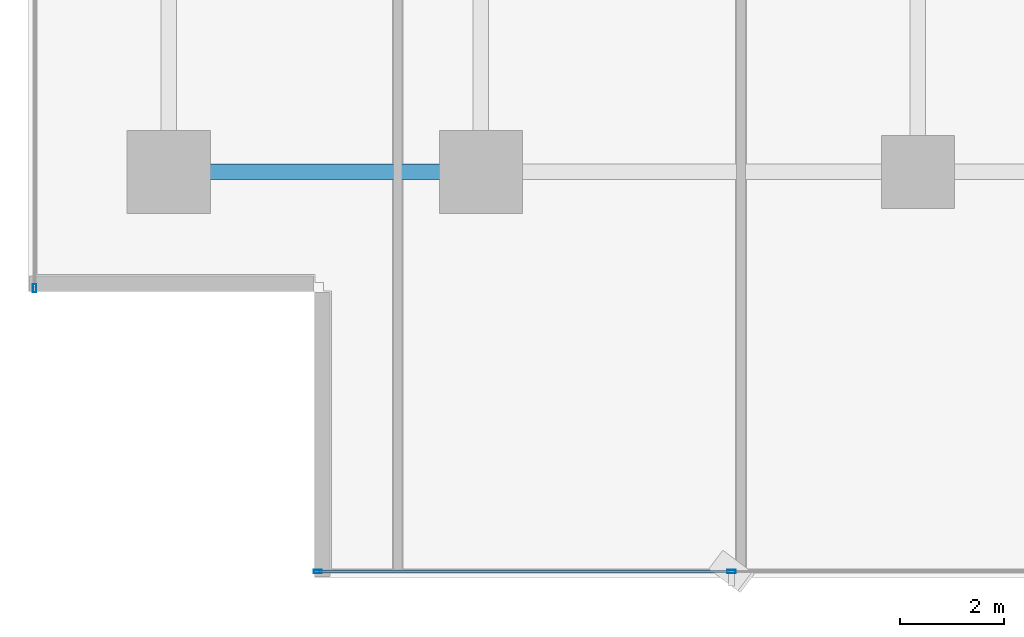
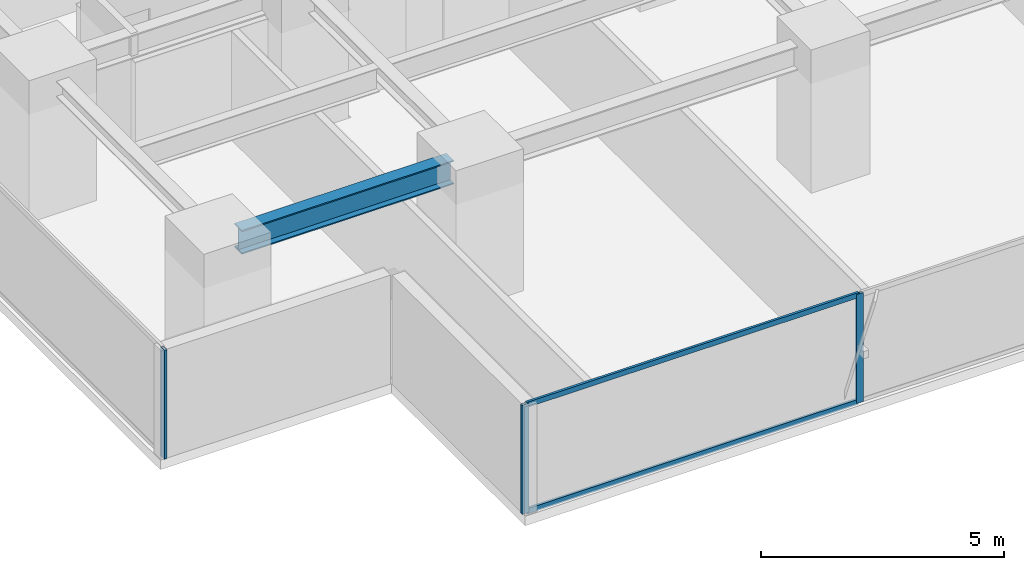
# One storey, part 2 of 34: 5 members, 1 beam, 2 elements without a shape of their own.
"""IFC4 building model written with IfcOpenShell, lengths in metres."""

from ifc_helpers import new_model, si_unit, direction, frame, origin, origin_2d, place, context, subcontext, project, spatial, hollow_rectangle, i_section, extrude, source, transform, mapped, material, layer, layer_set, material_profile, profile_set, type_object, element, aggregate, save


model = new_model("IFC4")

# Units and contexts
model_context = context("Model", 3, precision=1e-05, world=origin(), true_north=direction((0.0, 1.0)))
body_context = subcontext(model_context, "Body", "Model", "MODEL_VIEW")
ifc_project = project(units=[si_unit("LENGTHUNIT", "METRE"), si_unit("AREAUNIT", "SQUARE_METRE"), si_unit("VOLUMEUNIT", "CUBIC_METRE"), si_unit("PLANEANGLEUNIT", "RADIAN"), si_unit("MASSUNIT", "GRAM", prefix="KILO")], contexts=[model_context])

# Site, building, storey
site_placement = place(None, origin())
site = spatial("IfcSite", under=ifc_project, at=site_placement, CompositionType="ELEMENT")
building_placement = place(site_placement, origin())
building = spatial("IfcBuilding", under=site, at=building_placement, Name="Sumidabori Civic Tower", CompositionType="ELEMENT")
storey_placement = place(building_placement, frame((0.0, 0.0, 106.39990234375)))
storey = spatial("IfcBuildingStorey", under=building, at=storey_placement, Name="L27", CompositionType="ELEMENT", Elevation=106.39990234375)

# Beam
ifc_material_1 = material(Name="Steel SN490", Category="steel")
ifc_material_profile_1 = material_profile(ifc_material_1, i_section(OverallWidth=0.300048828125, OverallDepth=0.60009765625, WebThickness=0.015380859375, FlangeThickness=0.030029296875, at=origin_2d()), Name="HE 600 B")
ifc_profile_set_1 = profile_set([ifc_material_profile_1], Name="Steel SN490")
beam_type = type_object("IfcBeamType", Name="BM-GIRD-600", PredefinedType="BEAM", material=ifc_profile_set_1)
shared_shape_1 = source(origin(), body_context, "Body", "SweptSolid", [
    extrude(i_section(OverallWidth=0.300048828125, OverallDepth=0.60009765625, WebThickness=0.015380859375, FlangeThickness=0.030029296875, at=origin_2d()), origin(), (0.0, 0.0, 1.0), 5.0400390625),
])
beam_placement = place(storey_placement, frame((-22.320068359375, -18.0, 3.06005859375), z_axis=(1.0, 0.0, 0.0), x_axis=(0.0, 1.0, 0.0)))
element("IfcBeam", 1, at=beam_placement, inside=storey, type_object=beam_type, Name="Primary Girder L27 GX-01", PredefinedType="BEAM", context=body_context, shape_type="MappedRepresentation", body=[
    mapped(shared_shape_1, transform((0.0, 0.0, 0.0), x_axis=(1.0, 0.0, 0.0), y_axis=(0.0, 1.0, 0.0), z_axis=(0.0, 0.0, 1.0), scale=1.0)),
])

# Curtain wall, members
ifc_material_2 = material(Name="Anodised Bronze Aluminium AW-6063-T6", Category="aluminium")
ifc_layer = layer(ifc_material_2, 0.179931640625, Name="Anodised Bronze Aluminium AW-6063-T6")
ifc_layer_set = layer_set([ifc_layer], Name="Anodised Bronze Aluminium AW-6063-T6")
curtain_wall_type = type_object("IfcCurtainWallType", Name="CW-SYS-3", PredefinedType="NOTDEFINED", material=ifc_layer_set)
curtain_wall_1_placement = place(storey_placement, origin())
curtain_wall_1 = element("IfcCurtainWall", 2, at=curtain_wall_1_placement, inside=storey, type_object=curtain_wall_type, Name="Curtain Wall CW:L27:R01", PredefinedType="NOTDEFINED")
ifc_material_profile_2 = material_profile(ifc_material_2, hollow_rectangle(XDim=0.06494140625, YDim=0.159912109375, WallThickness=0.0048828125, at=origin_2d()), Name="ALU MULLION 160x65")
ifc_profile_set_2 = profile_set([ifc_material_profile_2], Name="Anodised Bronze Aluminium AW-6063-T6")
member_type_1 = type_object("IfcMemberType", Name="CW-MUL-160", PredefinedType="MULLION", material=ifc_profile_set_2)
shared_shape_2 = source(origin(), body_context, "Body", "SweptSolid", [
    extrude(hollow_rectangle(XDim=0.06494140625, YDim=0.159912109375, WallThickness=0.0048828125, at=origin_2d()), origin(), (0.0, 0.0, 1.0), 2.739990234375),
])
member_1_placement = place(storey_placement, frame((-19.9375, -25.679931640625, 0.0), z_axis=(0.0, 0.0, 1.0), x_axis=(0.0, 1.0, 0.0)))
member_1 = element("IfcMember", 3, at=member_1_placement, type_object=member_type_1, Name="CW-3 mullion 1", PredefinedType="MULLION", context=body_context, shape_type="MappedRepresentation", body=[
    mapped(shared_shape_2, transform((0.0, 0.0, 0.0), x_axis=(1.0, 0.0, 0.0), y_axis=(0.0, 1.0, 0.0), z_axis=(0.0, 0.0, 1.0), scale=1.0)),
])
member_2_placement = place(storey_placement, frame((-11.98193359375, -25.679931640625, 0.0), z_axis=(0.0, 0.0, 1.0), x_axis=(0.0, 1.0, 0.0)))
member_2 = element("IfcMember", 4, at=member_2_placement, type_object=member_type_1, Name="CW-3 mullion 2", PredefinedType="MULLION", context=body_context, shape_type="MappedRepresentation", body=[
    mapped(shared_shape_2, transform((0.0, 0.0, 0.0), x_axis=(1.0, 0.0, 0.0), y_axis=(0.0, 1.0, 0.0), z_axis=(0.0, 0.0, 1.0), scale=1.0)),
])

# Curtain wall, member
curtain_wall_2_placement = place(storey_placement, origin())
curtain_wall_2 = element("IfcCurtainWall", 5, at=curtain_wall_2_placement, inside=storey, type_object=curtain_wall_type, Name="Curtain Wall CW:L27:R10", PredefinedType="NOTDEFINED")
member_3_placement = place(storey_placement, frame((-25.3798828125, -20.237548828125, 0.0), z_axis=(0.0, 0.0, 1.0), x_axis=(1.0, 0.0, 0.0)))
member_3 = element("IfcMember", 6, at=member_3_placement, type_object=member_type_1, Name="CW-3 mullion 6", PredefinedType="MULLION", context=body_context, shape_type="MappedRepresentation", body=[
    mapped(shared_shape_2, transform((0.0, 0.0, 0.0), x_axis=(1.0, 0.0, 0.0), y_axis=(0.0, 1.0, 0.0), z_axis=(0.0, 0.0, 1.0), scale=1.0)),
])
aggregate(curtain_wall_2, [member_3])

# Member
ifc_material_profile_3 = material_profile(ifc_material_2, hollow_rectangle(XDim=0.06005859375, YDim=0.1298828125, WallThickness=0.0048828125, at=origin_2d()), Name="ALU TRANSOM 130x60")
ifc_profile_set_3 = profile_set([ifc_material_profile_3], Name="Anodised Bronze Aluminium AW-6063-T6")
member_type_2 = type_object("IfcMemberType", Name="CW-TRN-130", PredefinedType="USERDEFINED", material=ifc_profile_set_3)
shared_shape_3 = source(origin(), body_context, "Body", "SweptSolid", [
    extrude(hollow_rectangle(XDim=0.06005859375, YDim=0.1298828125, WallThickness=0.0048828125, at=origin_2d()), origin(), (0.0, 0.0, 1.0), 7.890625),
])
member_4_placement = place(storey_placement, frame((-19.905029296875, -25.679931640625, 0.030029296875), z_axis=(1.0, 0.0, 0.0), x_axis=(0.0, 1.0, 0.0)))
member_4 = element("IfcMember", 7, at=member_4_placement, type_object=member_type_2, Name="CW-3 transom 1.1", ObjectType="TRANSOM", PredefinedType="USERDEFINED", context=body_context, shape_type="MappedRepresentation", body=[
    mapped(shared_shape_3, transform((0.0, 0.0, 0.0), x_axis=(1.0, 0.0, 0.0), y_axis=(0.0, 1.0, 0.0), z_axis=(0.0, 0.0, 1.0), scale=1.0)),
])

member_5_placement = place(storey_placement, frame((-19.905029296875, -25.679931640625, 2.710205078125), z_axis=(1.0, 0.0, 0.0), x_axis=(0.0, 1.0, 0.0)))
member_5 = element("IfcMember", 8, at=member_5_placement, type_object=member_type_2, Name="CW-3 transom 1.2", ObjectType="TRANSOM", PredefinedType="USERDEFINED", context=body_context, shape_type="MappedRepresentation", body=[
    mapped(shared_shape_3, transform((0.0, 0.0, 0.0), x_axis=(1.0, 0.0, 0.0), y_axis=(0.0, 1.0, 0.0), z_axis=(0.0, 0.0, 1.0), scale=1.0)),
])

aggregate(curtain_wall_1, [member_1, member_2, member_4, member_5])

save(model, "model.ifc")
